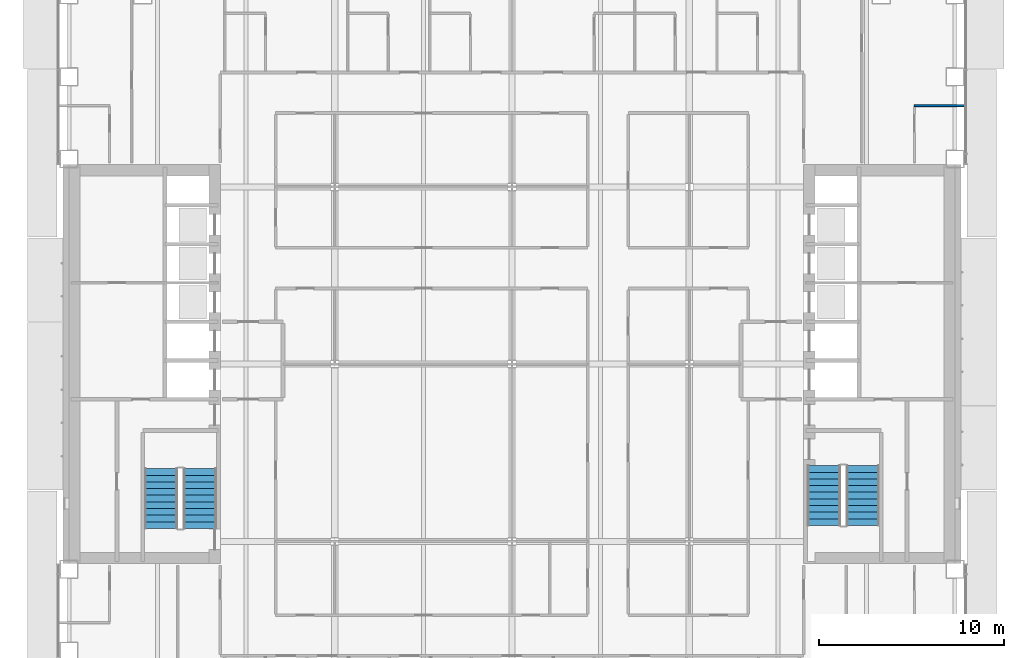
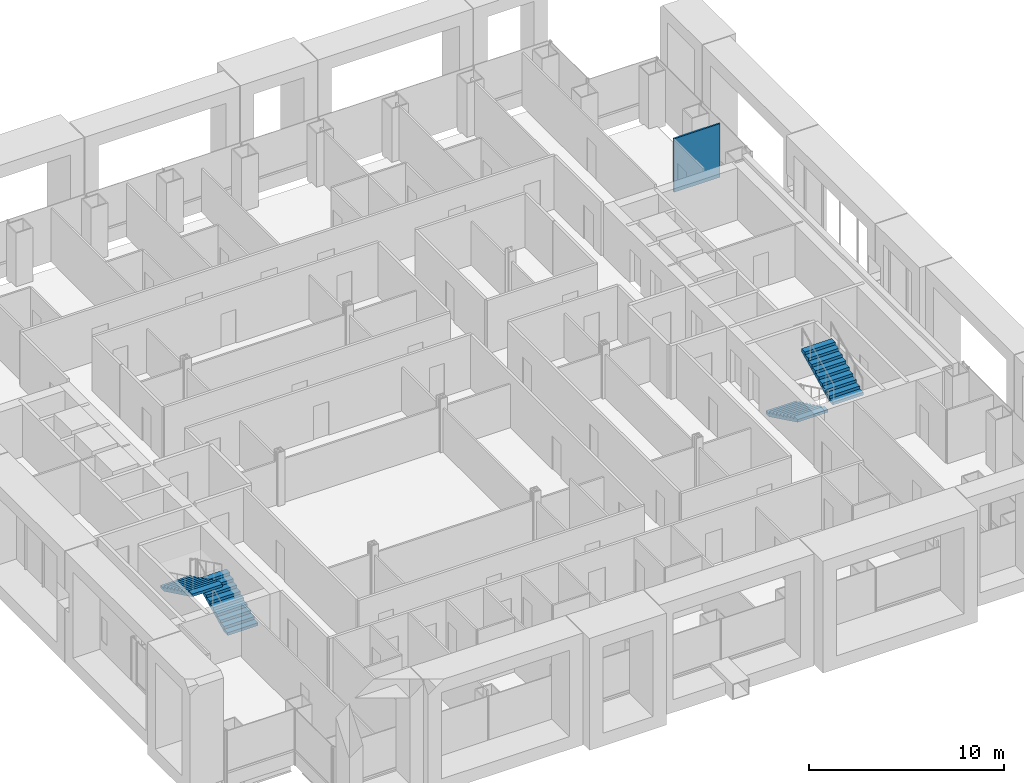
# One storey, part 19 of 25: 4 stair flights, 1 wall, 2 elements without a shape of their own.
"""IFC4 building model written with IfcOpenShell, lengths in metres."""

from ifc_helpers import new_model, si_unit, direction, frame, frame_2d, origin, place, context, subcontext, project, spatial, polyline, rectangle, outline, extrude, material, layer, layer_set, type_object, element, aggregate, save


model = new_model("IFC4")

# Units and contexts
model_context = context("Model", 3, precision=1e-05, world=origin(), true_north=direction((0.0, 1.0)))
body_context = subcontext(model_context, "Body", "Model", "MODEL_VIEW")
ifc_project = project(units=[si_unit("LENGTHUNIT", "METRE"), si_unit("AREAUNIT", "SQUARE_METRE"), si_unit("VOLUMEUNIT", "CUBIC_METRE"), si_unit("PLANEANGLEUNIT", "RADIAN"), si_unit("MASSUNIT", "GRAM", prefix="KILO")], contexts=[model_context])

# Site, building, storey
site_placement = place(None, origin())
site = spatial("IfcSite", under=ifc_project, at=site_placement, CompositionType="ELEMENT")
building_placement = place(site_placement, origin())
building = spatial("IfcBuilding", under=site, at=building_placement, Name="Cobrizo Arcos Hotel Tower", CompositionType="ELEMENT")
storey_placement = place(building_placement, frame((0.0, 0.0, 53.0)))
storey = spatial("IfcBuildingStorey", under=building, at=storey_placement, Name="L11", CompositionType="ELEMENT", Elevation=53.0)

# Wall
ifc_material_1 = material(Name="Gypsum board partition")
ifc_layer = layer(ifc_material_1, 0.10009765625)
ifc_layer_set = layer_set([ifc_layer], Name="Partition EI 30 100")
wall_type = type_object("IfcWallType", Name="Partition EI 30 100", PredefinedType="PARTITIONING", material=ifc_layer_set)
wall_placement = place(storey_placement, frame((21.800048828125, 14.0, 0.0), z_axis=(0.0, 0.0, 1.0), x_axis=(1.0, 0.0, 0.0)))
element("IfcWall", 1, at=wall_placement, inside=storey, type_object=wall_type, Name="Partition 057", PredefinedType="PARTITIONING", context=body_context, shape_type="SweptSolid", body=[
    extrude(rectangle(XDim=2.72998046875, YDim=0.10009765625, at=frame_2d((1.364990234375, 0.0))), origin(), (0.0, 0.0, 1.0), 3.35009765625),
])

# Stair, stair flights
ifc_material_2 = material(Name="Concrete f'c 40 MPa", Category="concrete")
stair_type = type_object("IfcStairType", Name="Exit stair", PredefinedType="HALF_TURN_STAIR", material=ifc_material_2)
stair_1_placement = place(storey_placement, origin())
stair_1 = element("IfcStair", 2, at=stair_1_placement, inside=storey, type_object=stair_type, Name="L11 Exit stair ST-W", PredefinedType="HALF_TURN_STAIR")
stair_flight_type = type_object("IfcStairFlightType", Name="Exit stair flight", PredefinedType="STRAIGHT", material=ifc_material_2)
stair_flight_1_placement = place(storey_placement, frame((-16.89990234375, -8.89990234375, 0.0), z_axis=(0.0, 0.0, 1.0), x_axis=(0.0, 1.0, 0.0)))
stair_flight_1 = element("IfcStairFlight", 3, at=stair_flight_1_placement, type_object=stair_flight_type, Name="ST-W flight 1", NumberOfRisers=10, NumberOfTreads=9, PredefinedType="STRAIGHT", RiserHeight=0.175, TreadLength=0.36, context=body_context, shape_type="SweptSolid", body=[
    extrude(outline(polyline([(0.0, 0.0), (0.0, 0.175048828125), (0.360107421875, 0.175048828125), (0.360107421875, 0.35009765625), (0.719970703125, 0.35009765625), (0.719970703125, 0.52490234375), (1.080078125, 0.52490234375), (1.080078125, 0.699951171875), (1.43994140625, 0.699951171875), (1.43994140625, 0.875), (1.800048828125, 0.875), (1.800048828125, 1.050048828125), (2.159912109375, 1.050048828125), (2.159912109375, 1.22509765625), (2.52001953125, 1.22509765625), (2.52001953125, 1.39990234375), (2.8798828125, 1.39990234375), (2.8798828125, 1.574951171875), (3.239990234375, 1.574951171875), (3.239990234375, 1.75), (3.239990234375, 1.408203125), (0.3427734375, 0.0), (0.0, 0.0)])), frame((0.0, 0.89990234375, 0.0), z_axis=(0.0, -1.0, 0.0), x_axis=(1.0, 0.0, 0.0)), (0.0, 0.0, 1.0), 1.800048828125),
])
stair_flight_2_placement = place(storey_placement, frame((-19.0, -5.659912109375, 1.75), z_axis=(0.0, 0.0, 1.0), x_axis=(0.0, -1.0, 0.0)))
stair_flight_2 = element("IfcStairFlight", 4, at=stair_flight_2_placement, type_object=stair_flight_type, Name="ST-W flight 2", NumberOfRisers=10, NumberOfTreads=9, PredefinedType="STRAIGHT", RiserHeight=0.175, TreadLength=0.36, context=body_context, shape_type="SweptSolid", body=[
    extrude(outline(polyline([(0.0, 0.0), (0.0, 0.175048828125), (0.360107421875, 0.175048828125), (0.360107421875, 0.35009765625), (0.719970703125, 0.35009765625), (0.719970703125, 0.52490234375), (1.080078125, 0.52490234375), (1.080078125, 0.699951171875), (1.43994140625, 0.699951171875), (1.43994140625, 0.875), (1.800048828125, 0.875), (1.800048828125, 1.050048828125), (2.159912109375, 1.050048828125), (2.159912109375, 1.22509765625), (2.52001953125, 1.22509765625), (2.52001953125, 1.39990234375), (2.8798828125, 1.39990234375), (2.8798828125, 1.574951171875), (3.239990234375, 1.574951171875), (3.239990234375, 1.75), (3.239990234375, 1.408203125), (0.3427734375, 0.0), (0.0, 0.0)])), frame((0.0, 0.89990234375, 0.0), z_axis=(0.0, -1.0, 0.0), x_axis=(1.0, 0.0, 0.0)), (0.0, 0.0, 1.0), 1.800048828125),
])
aggregate(stair_1, [stair_flight_1, stair_flight_2])

stair_2_placement = place(storey_placement, origin())
stair_2 = element("IfcStair", 5, at=stair_2_placement, inside=storey, type_object=stair_type, Name="L11 Exit stair ST-E", PredefinedType="HALF_TURN_STAIR")
stair_flight_3_placement = place(storey_placement, frame((16.89990234375, -5.5, 0.0), z_axis=(0.0, 0.0, 1.0), x_axis=(0.0, -1.0, 0.0)))
stair_flight_3 = element("IfcStairFlight", 6, at=stair_flight_3_placement, type_object=stair_flight_type, Name="ST-E flight 1", NumberOfRisers=10, NumberOfTreads=9, PredefinedType="STRAIGHT", RiserHeight=0.175, TreadLength=0.36, context=body_context, shape_type="SweptSolid", body=[
    extrude(outline(polyline([(0.0, 0.0), (0.0, 0.175048828125), (0.360107421875, 0.175048828125), (0.360107421875, 0.35009765625), (0.719970703125, 0.35009765625), (0.719970703125, 0.52490234375), (1.080078125, 0.52490234375), (1.080078125, 0.699951171875), (1.43994140625, 0.699951171875), (1.43994140625, 0.875), (1.800048828125, 0.875), (1.800048828125, 1.050048828125), (2.159912109375, 1.050048828125), (2.159912109375, 1.22509765625), (2.52001953125, 1.22509765625), (2.52001953125, 1.39990234375), (2.8798828125, 1.39990234375), (2.8798828125, 1.574951171875), (3.239990234375, 1.574951171875), (3.239990234375, 1.75), (3.239990234375, 1.408203125), (0.3427734375, 0.0), (0.0, 0.0)])), frame((0.0, 0.89990234375, 0.0), z_axis=(0.0, -1.0, 0.0), x_axis=(1.0, 0.0, 0.0)), (0.0, 0.0, 1.0), 1.800048828125),
])
stair_flight_4_placement = place(storey_placement, frame((19.0, -8.739990234375, 1.75), z_axis=(0.0, 0.0, 1.0), x_axis=(0.0, 1.0, 0.0)))
stair_flight_4 = element("IfcStairFlight", 7, at=stair_flight_4_placement, type_object=stair_flight_type, Name="ST-E flight 2", NumberOfRisers=10, NumberOfTreads=9, PredefinedType="STRAIGHT", RiserHeight=0.175, TreadLength=0.36, context=body_context, shape_type="SweptSolid", body=[
    extrude(outline(polyline([(0.0, 0.0), (0.0, 0.175048828125), (0.360107421875, 0.175048828125), (0.360107421875, 0.35009765625), (0.719970703125, 0.35009765625), (0.719970703125, 0.52490234375), (1.080078125, 0.52490234375), (1.080078125, 0.699951171875), (1.43994140625, 0.699951171875), (1.43994140625, 0.875), (1.800048828125, 0.875), (1.800048828125, 1.050048828125), (2.159912109375, 1.050048828125), (2.159912109375, 1.22509765625), (2.52001953125, 1.22509765625), (2.52001953125, 1.39990234375), (2.8798828125, 1.39990234375), (2.8798828125, 1.574951171875), (3.239990234375, 1.574951171875), (3.239990234375, 1.75), (3.239990234375, 1.408203125), (0.3427734375, 0.0), (0.0, 0.0)])), frame((0.0, 0.89990234375, 0.0), z_axis=(0.0, -1.0, 0.0), x_axis=(1.0, 0.0, 0.0)), (0.0, 0.0, 1.0), 1.800048828125),
])
aggregate(stair_2, [stair_flight_3, stair_flight_4])

save(model, "model.ifc")
